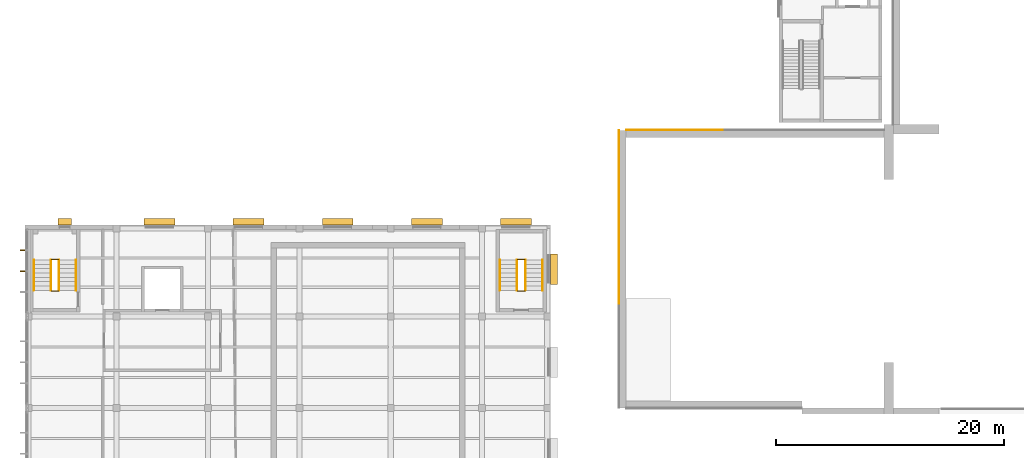
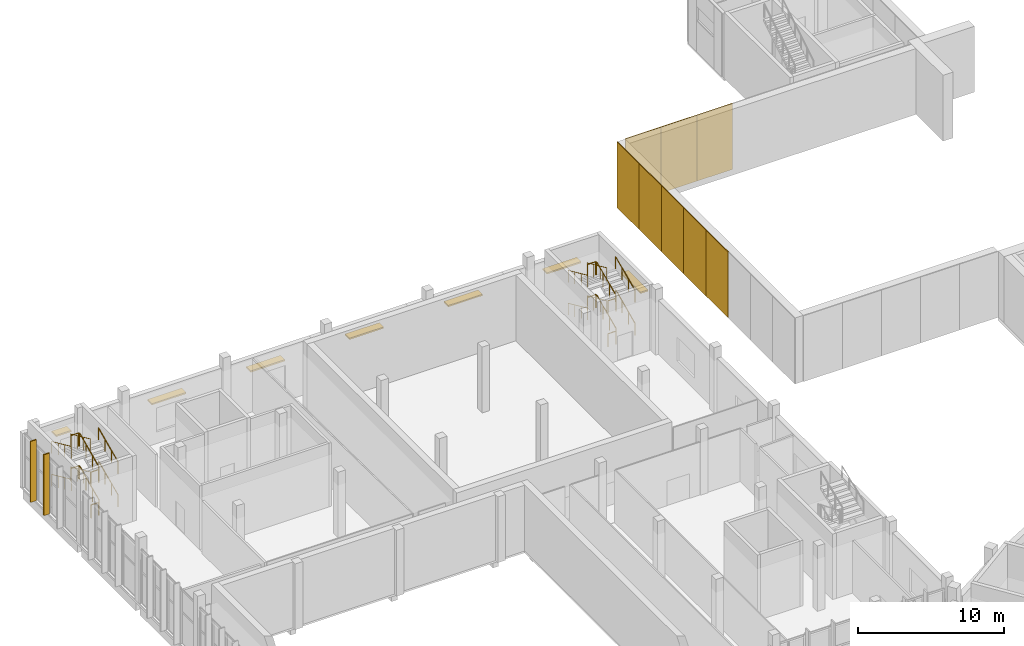
# One storey, part 92 of 112: 24 railings, 9 shading devices, 8 coverings.
"""IFC4 building model written with IfcOpenShell, lengths in metres."""

from ifc_helpers import new_model, si_unit, direction, frame, origin, origin_2d, place, context, subcontext, project, spatial, rectangle, circle, extrude, material, layer, layer_set, type_object, element, save


model = new_model("IFC4")

# Units and contexts
model_context = context("Model", 3, precision=1e-05, world=origin(), true_north=direction((0.0, 1.0)))
body_context = subcontext(model_context, "Body", "Model", "MODEL_VIEW")
ifc_project = project(units=[si_unit("LENGTHUNIT", "METRE"), si_unit("AREAUNIT", "SQUARE_METRE"), si_unit("VOLUMEUNIT", "CUBIC_METRE"), si_unit("PLANEANGLEUNIT", "RADIAN"), si_unit("MASSUNIT", "GRAM", prefix="KILO")], contexts=[model_context])

# Site, building, storey
site_placement = place(None, origin())
site = spatial("IfcSite", under=ifc_project, at=site_placement, CompositionType="ELEMENT")
building_placement = place(site_placement, origin())
building = spatial("IfcBuilding", under=site, at=building_placement, Name="Lunette Opera House", CompositionType="ELEMENT")
storey_placement = place(building_placement, frame((0.0, 0.0, 6.0)))
storey = spatial("IfcBuildingStorey", under=building, at=storey_placement, Name="L01", CompositionType="ELEMENT", Elevation=6.0)

# Shading devices
ifc_material_1 = material(Name="Powder-coated aluminium", Category="aluminium")
shading_device_type_1 = type_object("IfcShadingDeviceType", Name="SOLAR FIN 100 X 450", PredefinedType="USERDEFINED", material=ifc_material_1)
for number, where, z_axis, x_axis, name in (
    (1, (7.76708984375, 109.80908203125, 0.114501953125), (0.0, 0.0, 1.0), (-1.0, 0.0, 0.0), "Solar fin RW-X2015 1"),
    (2, (7.76708984375, 107.98291015625, 0.114501953125), (0.0, 0.0, 1.0), (-1.0, 0.0, 0.0), "Solar fin RW-X2015 2"),
):
    element("IfcShadingDevice", number, at=place(storey_placement, frame(where, z_axis=z_axis, x_axis=x_axis)), inside=storey, type_object=shading_device_type_1, Name=name, ObjectType="SOLAR FIN", PredefinedType="USERDEFINED", context=body_context, shape_type="SweptSolid", body=[
        extrude(rectangle(XDim=0.449951171875, YDim=0.10009765625, at=origin_2d()), origin(), (0.0, 0.0, 1.0), 5.0849609375),
    ])

# Railings
ifc_material_2 = material(Name="Steel S355", Category="steel")
railing_type_1 = type_object("IfcRailingType", Name="STAIR GUARD 1100", PredefinedType="GUARDRAIL", material=ifc_material_2)
railing_1_placement = place(storey_placement, frame((10.949951171875, 106.300048828125, 0.171875)))
element("IfcRailing", 3, at=railing_1_placement, inside=storey, type_object=railing_type_1, Name="L01 ST15 stair guard 1", PredefinedType="GUARDRAIL", context=body_context, shape_type="SweptSolid", body=[
    extrude(circle(Radius=0.02392578125, at=origin_2d()), frame((0.0, 0.0, 1.076171875), z_axis=(0.0, 0.911129605887, 0.412119935549), x_axis=(-1.0, 0.0, 0.0)), (0.0, 0.0, 1.0), 2.91943359375),
    extrude(circle(Radius=0.02099609375, at=origin_2d()), origin(), (0.0, 0.0, 1.0), 1.052001953125),
    extrude(circle(Radius=0.02099609375, at=origin_2d()), frame((0.0, 0.88671875, 0.401123046875)), (0.0, 0.0, 1.0), 1.052001953125),
    extrude(circle(Radius=0.02099609375, at=origin_2d()), frame((0.0, 1.773193359375, 0.802001953125)), (0.0, 0.0, 1.0), 1.052001953125),
    extrude(circle(Radius=0.02099609375, at=origin_2d()), frame((0.0, 2.659912109375, 1.203125)), (0.0, 0.0, 1.0), 1.052001953125),
])
railing_2_placement = place(storey_placement, frame((10.89990234375, 109.010009765625, 1.375)))
element("IfcRailing", 4, at=railing_2_placement, inside=storey, type_object=railing_type_1, Name="L01 ST15 stair guard 2", PredefinedType="GUARDRAIL", context=body_context, shape_type="SweptSolid", body=[
    extrude(circle(Radius=0.02392578125, at=origin_2d()), frame((0.0, 0.0, 1.076171875), z_axis=(-1.0, 0.0, 0.0), x_axis=(0.0, -1.0, 0.0)), (0.0, 0.0, 1.0), 0.599853515625),
    extrude(circle(Radius=0.02099609375, at=origin_2d()), origin(), (0.0, 0.0, 1.0), 1.052001953125),
    extrude(circle(Radius=0.02099609375, at=origin_2d()), frame((-0.599853515625, 0.0, 0.0)), (0.0, 0.0, 1.0), 1.052001953125),
])
railing_3_placement = place(storey_placement, frame((10.25, 108.9599609375, 1.546875)))
element("IfcRailing", 5, at=railing_3_placement, inside=storey, type_object=railing_type_1, Name="L01 ST15 stair guard 3", PredefinedType="GUARDRAIL", context=body_context, shape_type="SweptSolid", body=[
    extrude(circle(Radius=0.02392578125, at=origin_2d()), frame((0.0, 0.0, 1.076171875), z_axis=(0.0, -0.911129605887, 0.412119935549), x_axis=(1.0, 0.0, 0.0)), (0.0, 0.0, 1.0), 2.91943359375),
    extrude(circle(Radius=0.02099609375, at=origin_2d()), origin(), (0.0, 0.0, 1.0), 1.052001953125),
    extrude(circle(Radius=0.02099609375, at=origin_2d()), frame((0.0, -0.88671875, 0.401123046875)), (0.0, 0.0, 1.0), 1.052001953125),
    extrude(circle(Radius=0.02099609375, at=origin_2d()), frame((0.0, -1.773193359375, 0.802001953125)), (0.0, 0.0, 1.0), 1.052001953125),
    extrude(circle(Radius=0.02099609375, at=origin_2d()), frame((0.0, -2.659912109375, 1.203125)), (0.0, 0.0, 1.0), 1.052001953125),
])
railing_4_placement = place(storey_placement, frame((10.89990234375, 106.25, 2.75)))
element("IfcRailing", 6, at=railing_4_placement, inside=storey, type_object=railing_type_1, Name="L01 ST15 stair guard 4", PredefinedType="GUARDRAIL", context=body_context, shape_type="SweptSolid", body=[
    extrude(circle(Radius=0.02392578125, at=origin_2d()), frame((0.0, 0.0, 1.076171875), z_axis=(-1.0, 0.0, 0.0), x_axis=(0.0, -1.0, 0.0)), (0.0, 0.0, 1.0), 0.599853515625),
    extrude(circle(Radius=0.02099609375, at=origin_2d()), origin(), (0.0, 0.0, 1.0), 1.052001953125),
    extrude(circle(Radius=0.02099609375, at=origin_2d()), frame((-0.599853515625, 0.0, 0.0)), (0.0, 0.0, 1.0), 1.052001953125),
])
railing_5_placement = place(storey_placement, frame((10.949951171875, 106.300048828125, 2.921875)))
element("IfcRailing", 7, at=railing_5_placement, inside=storey, type_object=railing_type_1, Name="L01 ST15 stair guard 5", PredefinedType="GUARDRAIL", context=body_context, shape_type="SweptSolid", body=[
    extrude(circle(Radius=0.02392578125, at=origin_2d()), frame((0.0, 0.0, 1.076171875), z_axis=(0.0, 0.911129605887, 0.412119935549), x_axis=(-1.0, 0.0, 0.0)), (0.0, 0.0, 1.0), 2.91943359375),
    extrude(circle(Radius=0.02099609375, at=origin_2d()), origin(), (0.0, 0.0, 1.0), 1.052001953125),
    extrude(circle(Radius=0.02099609375, at=origin_2d()), frame((0.0, 0.88671875, 0.401123046875)), (0.0, 0.0, 1.0), 1.052001953125),
    extrude(circle(Radius=0.02099609375, at=origin_2d()), frame((0.0, 1.773193359375, 0.802001953125)), (0.0, 0.0, 1.0), 1.052001953125),
    extrude(circle(Radius=0.02099609375, at=origin_2d()), frame((0.0, 2.659912109375, 1.203125)), (0.0, 0.0, 1.0), 1.052001953125),
])
railing_6_placement = place(storey_placement, frame((10.89990234375, 109.010009765625, 4.125)))
element("IfcRailing", 8, at=railing_6_placement, inside=storey, type_object=railing_type_1, Name="L01 ST15 stair guard 6", PredefinedType="GUARDRAIL", context=body_context, shape_type="SweptSolid", body=[
    extrude(circle(Radius=0.02392578125, at=origin_2d()), frame((0.0, 0.0, 1.076171875), z_axis=(-1.0, 0.0, 0.0), x_axis=(0.0, -1.0, 0.0)), (0.0, 0.0, 1.0), 0.599853515625),
    extrude(circle(Radius=0.02099609375, at=origin_2d()), origin(), (0.0, 0.0, 1.0), 1.052001953125),
    extrude(circle(Radius=0.02099609375, at=origin_2d()), frame((-0.599853515625, 0.0, 0.0)), (0.0, 0.0, 1.0), 1.052001953125),
])
railing_7_placement = place(storey_placement, frame((10.25, 108.9599609375, 4.296875)))
element("IfcRailing", 9, at=railing_7_placement, inside=storey, type_object=railing_type_1, Name="L01 ST15 stair guard 7", PredefinedType="GUARDRAIL", context=body_context, shape_type="SweptSolid", body=[
    extrude(circle(Radius=0.02392578125, at=origin_2d()), frame((0.0, 0.0, 1.076171875), z_axis=(0.0, -0.911129605887, 0.412119935549), x_axis=(1.0, 0.0, 0.0)), (0.0, 0.0, 1.0), 2.91943359375),
    extrude(circle(Radius=0.02099609375, at=origin_2d()), origin(), (0.0, 0.0, 1.0), 1.052001953125),
    extrude(circle(Radius=0.02099609375, at=origin_2d()), frame((0.0, -0.88671875, 0.401123046875)), (0.0, 0.0, 1.0), 1.052001953125),
    extrude(circle(Radius=0.02099609375, at=origin_2d()), frame((0.0, -1.773193359375, 0.802001953125)), (0.0, 0.0, 1.0), 1.052001953125),
    extrude(circle(Radius=0.02099609375, at=origin_2d()), frame((0.0, -2.659912109375, 1.203125)), (0.0, 0.0, 1.0), 1.052001953125),
])
railing_8_placement = place(storey_placement, frame((10.89990234375, 106.25, 0.0)))
element("IfcRailing", 10, at=railing_8_placement, inside=storey, type_object=railing_type_1, Name="L01 ST15 stair guard 8", PredefinedType="GUARDRAIL", context=body_context, shape_type="SweptSolid", body=[
    extrude(circle(Radius=0.02392578125, at=origin_2d()), frame((0.0, 0.0, 1.076171875), z_axis=(-1.0, 0.0, 0.0), x_axis=(0.0, -1.0, 0.0)), (0.0, 0.0, 1.0), 0.599853515625),
    extrude(circle(Radius=0.02099609375, at=origin_2d()), origin(), (0.0, 0.0, 1.0), 1.052001953125),
    extrude(circle(Radius=0.02099609375, at=origin_2d()), frame((-0.599853515625, 0.0, 0.0)), (0.0, 0.0, 1.0), 1.052001953125),
])
railing_9_placement = place(storey_placement, frame((51.784912109375, 106.300048828125, 0.171875)))
element("IfcRailing", 11, at=railing_9_placement, inside=storey, type_object=railing_type_1, Name="L01 ST17 stair guard 1", PredefinedType="GUARDRAIL", context=body_context, shape_type="SweptSolid", body=[
    extrude(circle(Radius=0.02392578125, at=origin_2d()), frame((0.0, 0.0, 1.076171875), z_axis=(0.0, 0.911129605887, 0.412119935549), x_axis=(-1.0, 0.0, 0.0)), (0.0, 0.0, 1.0), 2.91943359375),
    extrude(circle(Radius=0.02099609375, at=origin_2d()), origin(), (0.0, 0.0, 1.0), 1.052001953125),
    extrude(circle(Radius=0.02099609375, at=origin_2d()), frame((0.0, 0.88671875, 0.401123046875)), (0.0, 0.0, 1.0), 1.052001953125),
    extrude(circle(Radius=0.02099609375, at=origin_2d()), frame((0.0, 1.773193359375, 0.802001953125)), (0.0, 0.0, 1.0), 1.052001953125),
    extrude(circle(Radius=0.02099609375, at=origin_2d()), frame((0.0, 2.659912109375, 1.203125)), (0.0, 0.0, 1.0), 1.052001953125),
])
railing_10_placement = place(storey_placement, frame((51.735107421875, 109.010009765625, 1.375)))
element("IfcRailing", 12, at=railing_10_placement, inside=storey, type_object=railing_type_1, Name="L01 ST17 stair guard 2", PredefinedType="GUARDRAIL", context=body_context, shape_type="SweptSolid", body=[
    extrude(circle(Radius=0.02392578125, at=origin_2d()), frame((0.0, 0.0, 1.076171875), z_axis=(-1.0, 0.0, 0.0), x_axis=(0.0, -1.0, 0.0)), (0.0, 0.0, 1.0), 0.635009765625),
    extrude(circle(Radius=0.02099609375, at=origin_2d()), origin(), (0.0, 0.0, 1.0), 1.052001953125),
    extrude(circle(Radius=0.02099609375, at=origin_2d()), frame((-0.635009765625, 0.0, 0.0)), (0.0, 0.0, 1.0), 1.052001953125),
])
railing_11_placement = place(storey_placement, frame((51.050048828125, 108.9599609375, 1.546875)))
element("IfcRailing", 13, at=railing_11_placement, inside=storey, type_object=railing_type_1, Name="L01 ST17 stair guard 3", PredefinedType="GUARDRAIL", context=body_context, shape_type="SweptSolid", body=[
    extrude(circle(Radius=0.02392578125, at=origin_2d()), frame((0.0, 0.0, 1.076171875), z_axis=(0.0, -0.911129605887, 0.412119935549), x_axis=(1.0, 0.0, 0.0)), (0.0, 0.0, 1.0), 2.91943359375),
    extrude(circle(Radius=0.02099609375, at=origin_2d()), origin(), (0.0, 0.0, 1.0), 1.052001953125),
    extrude(circle(Radius=0.02099609375, at=origin_2d()), frame((0.0, -0.88671875, 0.401123046875)), (0.0, 0.0, 1.0), 1.052001953125),
    extrude(circle(Radius=0.02099609375, at=origin_2d()), frame((0.0, -1.773193359375, 0.802001953125)), (0.0, 0.0, 1.0), 1.052001953125),
    extrude(circle(Radius=0.02099609375, at=origin_2d()), frame((0.0, -2.659912109375, 1.203125)), (0.0, 0.0, 1.0), 1.052001953125),
])
railing_12_placement = place(storey_placement, frame((51.735107421875, 106.25, 2.75)))
element("IfcRailing", 14, at=railing_12_placement, inside=storey, type_object=railing_type_1, Name="L01 ST17 stair guard 4", PredefinedType="GUARDRAIL", context=body_context, shape_type="SweptSolid", body=[
    extrude(circle(Radius=0.02392578125, at=origin_2d()), frame((0.0, 0.0, 1.076171875), z_axis=(-1.0, 0.0, 0.0), x_axis=(0.0, -1.0, 0.0)), (0.0, 0.0, 1.0), 0.635009765625),
    extrude(circle(Radius=0.02099609375, at=origin_2d()), origin(), (0.0, 0.0, 1.0), 1.052001953125),
    extrude(circle(Radius=0.02099609375, at=origin_2d()), frame((-0.635009765625, 0.0, 0.0)), (0.0, 0.0, 1.0), 1.052001953125),
])
railing_13_placement = place(storey_placement, frame((51.784912109375, 106.300048828125, 2.921875)))
element("IfcRailing", 15, at=railing_13_placement, inside=storey, type_object=railing_type_1, Name="L01 ST17 stair guard 5", PredefinedType="GUARDRAIL", context=body_context, shape_type="SweptSolid", body=[
    extrude(circle(Radius=0.02392578125, at=origin_2d()), frame((0.0, 0.0, 1.076171875), z_axis=(0.0, 0.911129605887, 0.412119935549), x_axis=(-1.0, 0.0, 0.0)), (0.0, 0.0, 1.0), 2.91943359375),
    extrude(circle(Radius=0.02099609375, at=origin_2d()), origin(), (0.0, 0.0, 1.0), 1.052001953125),
    extrude(circle(Radius=0.02099609375, at=origin_2d()), frame((0.0, 0.88671875, 0.401123046875)), (0.0, 0.0, 1.0), 1.052001953125),
    extrude(circle(Radius=0.02099609375, at=origin_2d()), frame((0.0, 1.773193359375, 0.802001953125)), (0.0, 0.0, 1.0), 1.052001953125),
    extrude(circle(Radius=0.02099609375, at=origin_2d()), frame((0.0, 2.659912109375, 1.203125)), (0.0, 0.0, 1.0), 1.052001953125),
])
railing_14_placement = place(storey_placement, frame((51.735107421875, 109.010009765625, 4.125)))
element("IfcRailing", 16, at=railing_14_placement, inside=storey, type_object=railing_type_1, Name="L01 ST17 stair guard 6", PredefinedType="GUARDRAIL", context=body_context, shape_type="SweptSolid", body=[
    extrude(circle(Radius=0.02392578125, at=origin_2d()), frame((0.0, 0.0, 1.076171875), z_axis=(-1.0, 0.0, 0.0), x_axis=(0.0, -1.0, 0.0)), (0.0, 0.0, 1.0), 0.635009765625),
    extrude(circle(Radius=0.02099609375, at=origin_2d()), origin(), (0.0, 0.0, 1.0), 1.052001953125),
    extrude(circle(Radius=0.02099609375, at=origin_2d()), frame((-0.635009765625, 0.0, 0.0)), (0.0, 0.0, 1.0), 1.052001953125),
])
railing_15_placement = place(storey_placement, frame((51.050048828125, 108.9599609375, 4.296875)))
element("IfcRailing", 17, at=railing_15_placement, inside=storey, type_object=railing_type_1, Name="L01 ST17 stair guard 7", PredefinedType="GUARDRAIL", context=body_context, shape_type="SweptSolid", body=[
    extrude(circle(Radius=0.02392578125, at=origin_2d()), frame((0.0, 0.0, 1.076171875), z_axis=(0.0, -0.911129605887, 0.412119935549), x_axis=(1.0, 0.0, 0.0)), (0.0, 0.0, 1.0), 2.91943359375),
    extrude(circle(Radius=0.02099609375, at=origin_2d()), origin(), (0.0, 0.0, 1.0), 1.052001953125),
    extrude(circle(Radius=0.02099609375, at=origin_2d()), frame((0.0, -0.88671875, 0.401123046875)), (0.0, 0.0, 1.0), 1.052001953125),
    extrude(circle(Radius=0.02099609375, at=origin_2d()), frame((0.0, -1.773193359375, 0.802001953125)), (0.0, 0.0, 1.0), 1.052001953125),
    extrude(circle(Radius=0.02099609375, at=origin_2d()), frame((0.0, -2.659912109375, 1.203125)), (0.0, 0.0, 1.0), 1.052001953125),
])
railing_16_placement = place(storey_placement, frame((51.735107421875, 106.25, 0.0)))
element("IfcRailing", 18, at=railing_16_placement, inside=storey, type_object=railing_type_1, Name="L01 ST17 stair guard 8", PredefinedType="GUARDRAIL", context=body_context, shape_type="SweptSolid", body=[
    extrude(circle(Radius=0.02392578125, at=origin_2d()), frame((0.0, 0.0, 1.076171875), z_axis=(-1.0, 0.0, 0.0), x_axis=(0.0, -1.0, 0.0)), (0.0, 0.0, 1.0), 0.635009765625),
    extrude(circle(Radius=0.02099609375, at=origin_2d()), origin(), (0.0, 0.0, 1.0), 1.052001953125),
    extrude(circle(Radius=0.02099609375, at=origin_2d()), frame((-0.635009765625, 0.0, 0.0)), (0.0, 0.0, 1.0), 1.052001953125),
])
ifc_material_3 = material(Name="Steel S355", Category="steel")
railing_type_2 = type_object("IfcRailingType", Name="STAIR HANDRAIL 1000", PredefinedType="HANDRAIL", material=ifc_material_3)
railing_17_placement = place(storey_placement, frame((12.449951171875, 106.300048828125, 0.171875)))
element("IfcRailing", 19, at=railing_17_placement, inside=storey, type_object=railing_type_2, Name="L01 ST15 stair handrail 1", PredefinedType="HANDRAIL", context=body_context, shape_type="SweptSolid", body=[
    extrude(circle(Radius=0.02392578125, at=origin_2d()), frame((0.0, 0.0, 0.97607421875), z_axis=(0.0, 0.911129605887, 0.412119935549), x_axis=(-1.0, 0.0, 0.0)), (0.0, 0.0, 1.0), 2.91943359375),
    extrude(circle(Radius=0.02099609375, at=origin_2d()), origin(), (0.0, 0.0, 1.0), 0.951904296875),
    extrude(circle(Radius=0.02099609375, at=origin_2d()), frame((0.0, 0.88671875, 0.401123046875)), (0.0, 0.0, 1.0), 0.951904296875),
    extrude(circle(Radius=0.02099609375, at=origin_2d()), frame((0.0, 1.773193359375, 0.802001953125)), (0.0, 0.0, 1.0), 0.951904296875),
    extrude(circle(Radius=0.02099609375, at=origin_2d()), frame((0.0, 2.659912109375, 1.203125)), (0.0, 0.0, 1.0), 0.951904296875),
])
railing_18_placement = place(storey_placement, frame((8.75, 108.9599609375, 1.546875)))
element("IfcRailing", 20, at=railing_18_placement, inside=storey, type_object=railing_type_2, Name="L01 ST15 stair handrail 2", PredefinedType="HANDRAIL", context=body_context, shape_type="SweptSolid", body=[
    extrude(circle(Radius=0.02392578125, at=origin_2d()), frame((0.0, 0.0, 0.97607421875), z_axis=(0.0, -0.911129605887, 0.412119935549), x_axis=(1.0, 0.0, 0.0)), (0.0, 0.0, 1.0), 2.91943359375),
    extrude(circle(Radius=0.02099609375, at=origin_2d()), origin(), (0.0, 0.0, 1.0), 0.951904296875),
    extrude(circle(Radius=0.02099609375, at=origin_2d()), frame((0.0, -0.88671875, 0.401123046875)), (0.0, 0.0, 1.0), 0.951904296875),
    extrude(circle(Radius=0.02099609375, at=origin_2d()), frame((0.0, -1.773193359375, 0.802001953125)), (0.0, 0.0, 1.0), 0.951904296875),
    extrude(circle(Radius=0.02099609375, at=origin_2d()), frame((0.0, -2.659912109375, 1.203125)), (0.0, 0.0, 1.0), 0.951904296875),
])
railing_19_placement = place(storey_placement, frame((12.449951171875, 106.300048828125, 2.921875)))
element("IfcRailing", 21, at=railing_19_placement, inside=storey, type_object=railing_type_2, Name="L01 ST15 stair handrail 3", PredefinedType="HANDRAIL", context=body_context, shape_type="SweptSolid", body=[
    extrude(circle(Radius=0.02392578125, at=origin_2d()), frame((0.0, 0.0, 0.97607421875), z_axis=(0.0, 0.911129605887, 0.412119935549), x_axis=(-1.0, 0.0, 0.0)), (0.0, 0.0, 1.0), 2.91943359375),
    extrude(circle(Radius=0.02099609375, at=origin_2d()), origin(), (0.0, 0.0, 1.0), 0.951904296875),
    extrude(circle(Radius=0.02099609375, at=origin_2d()), frame((0.0, 0.88671875, 0.401123046875)), (0.0, 0.0, 1.0), 0.951904296875),
    extrude(circle(Radius=0.02099609375, at=origin_2d()), frame((0.0, 1.773193359375, 0.802001953125)), (0.0, 0.0, 1.0), 0.951904296875),
    extrude(circle(Radius=0.02099609375, at=origin_2d()), frame((0.0, 2.659912109375, 1.203125)), (0.0, 0.0, 1.0), 0.951904296875),
])
railing_20_placement = place(storey_placement, frame((8.75, 108.9599609375, 4.296875)))
element("IfcRailing", 22, at=railing_20_placement, inside=storey, type_object=railing_type_2, Name="L01 ST15 stair handrail 4", PredefinedType="HANDRAIL", context=body_context, shape_type="SweptSolid", body=[
    extrude(circle(Radius=0.02392578125, at=origin_2d()), frame((0.0, 0.0, 0.97607421875), z_axis=(0.0, -0.911129605887, 0.412119935549), x_axis=(1.0, 0.0, 0.0)), (0.0, 0.0, 1.0), 2.91943359375),
    extrude(circle(Radius=0.02099609375, at=origin_2d()), origin(), (0.0, 0.0, 1.0), 0.951904296875),
    extrude(circle(Radius=0.02099609375, at=origin_2d()), frame((0.0, -0.88671875, 0.401123046875)), (0.0, 0.0, 1.0), 0.951904296875),
    extrude(circle(Radius=0.02099609375, at=origin_2d()), frame((0.0, -1.773193359375, 0.802001953125)), (0.0, 0.0, 1.0), 0.951904296875),
    extrude(circle(Radius=0.02099609375, at=origin_2d()), frame((0.0, -2.659912109375, 1.203125)), (0.0, 0.0, 1.0), 0.951904296875),
])
railing_21_placement = place(storey_placement, frame((53.284912109375, 106.300048828125, 0.171875)))
element("IfcRailing", 23, at=railing_21_placement, inside=storey, type_object=railing_type_2, Name="L01 ST17 stair handrail 1", PredefinedType="HANDRAIL", context=body_context, shape_type="SweptSolid", body=[
    extrude(circle(Radius=0.02392578125, at=origin_2d()), frame((0.0, 0.0, 0.97607421875), z_axis=(0.0, 0.911129605887, 0.412119935549), x_axis=(-1.0, 0.0, 0.0)), (0.0, 0.0, 1.0), 2.91943359375),
    extrude(circle(Radius=0.02099609375, at=origin_2d()), origin(), (0.0, 0.0, 1.0), 0.951904296875),
    extrude(circle(Radius=0.02099609375, at=origin_2d()), frame((0.0, 0.88671875, 0.401123046875)), (0.0, 0.0, 1.0), 0.951904296875),
    extrude(circle(Radius=0.02099609375, at=origin_2d()), frame((0.0, 1.773193359375, 0.802001953125)), (0.0, 0.0, 1.0), 0.951904296875),
    extrude(circle(Radius=0.02099609375, at=origin_2d()), frame((0.0, 2.659912109375, 1.203125)), (0.0, 0.0, 1.0), 0.951904296875),
])
railing_22_placement = place(storey_placement, frame((49.550048828125, 108.9599609375, 1.546875)))
element("IfcRailing", 24, at=railing_22_placement, inside=storey, type_object=railing_type_2, Name="L01 ST17 stair handrail 2", PredefinedType="HANDRAIL", context=body_context, shape_type="SweptSolid", body=[
    extrude(circle(Radius=0.02392578125, at=origin_2d()), frame((0.0, 0.0, 0.97607421875), z_axis=(0.0, -0.911129605887, 0.412119935549), x_axis=(1.0, 0.0, 0.0)), (0.0, 0.0, 1.0), 2.91943359375),
    extrude(circle(Radius=0.02099609375, at=origin_2d()), origin(), (0.0, 0.0, 1.0), 0.951904296875),
    extrude(circle(Radius=0.02099609375, at=origin_2d()), frame((0.0, -0.88671875, 0.401123046875)), (0.0, 0.0, 1.0), 0.951904296875),
    extrude(circle(Radius=0.02099609375, at=origin_2d()), frame((0.0, -1.773193359375, 0.802001953125)), (0.0, 0.0, 1.0), 0.951904296875),
    extrude(circle(Radius=0.02099609375, at=origin_2d()), frame((0.0, -2.659912109375, 1.203125)), (0.0, 0.0, 1.0), 0.951904296875),
])
railing_23_placement = place(storey_placement, frame((53.284912109375, 106.300048828125, 2.921875)))
element("IfcRailing", 25, at=railing_23_placement, inside=storey, type_object=railing_type_2, Name="L01 ST17 stair handrail 3", PredefinedType="HANDRAIL", context=body_context, shape_type="SweptSolid", body=[
    extrude(circle(Radius=0.02392578125, at=origin_2d()), frame((0.0, 0.0, 0.97607421875), z_axis=(0.0, 0.911129605887, 0.412119935549), x_axis=(-1.0, 0.0, 0.0)), (0.0, 0.0, 1.0), 2.91943359375),
    extrude(circle(Radius=0.02099609375, at=origin_2d()), origin(), (0.0, 0.0, 1.0), 0.951904296875),
    extrude(circle(Radius=0.02099609375, at=origin_2d()), frame((0.0, 0.88671875, 0.401123046875)), (0.0, 0.0, 1.0), 0.951904296875),
    extrude(circle(Radius=0.02099609375, at=origin_2d()), frame((0.0, 1.773193359375, 0.802001953125)), (0.0, 0.0, 1.0), 0.951904296875),
    extrude(circle(Radius=0.02099609375, at=origin_2d()), frame((0.0, 2.659912109375, 1.203125)), (0.0, 0.0, 1.0), 0.951904296875),
])
railing_24_placement = place(storey_placement, frame((49.550048828125, 108.9599609375, 4.296875)))
element("IfcRailing", 26, at=railing_24_placement, inside=storey, type_object=railing_type_2, Name="L01 ST17 stair handrail 4", PredefinedType="HANDRAIL", context=body_context, shape_type="SweptSolid", body=[
    extrude(circle(Radius=0.02392578125, at=origin_2d()), frame((0.0, 0.0, 0.97607421875), z_axis=(0.0, -0.911129605887, 0.412119935549), x_axis=(1.0, 0.0, 0.0)), (0.0, 0.0, 1.0), 2.91943359375),
    extrude(circle(Radius=0.02099609375, at=origin_2d()), origin(), (0.0, 0.0, 1.0), 0.951904296875),
    extrude(circle(Radius=0.02099609375, at=origin_2d()), frame((0.0, -0.88671875, 0.401123046875)), (0.0, 0.0, 1.0), 0.951904296875),
    extrude(circle(Radius=0.02099609375, at=origin_2d()), frame((0.0, -1.773193359375, 0.802001953125)), (0.0, 0.0, 1.0), 0.951904296875),
    extrude(circle(Radius=0.02099609375, at=origin_2d()), frame((0.0, -2.659912109375, 1.203125)), (0.0, 0.0, 1.0), 0.951904296875),
])

# Coverings
ifc_material_4 = material(Name="Aluminium standing seam cladding", Category="aluminium")
ifc_layer_1 = layer(ifc_material_4, 0.06005859375)
ifc_layer_set_1 = layer_set([ifc_layer_1], Name="Aluminium standing seam cladding")
covering_type = type_object("IfcCoveringType", Name="STANDING SEAM CLADDING 60", PredefinedType="CLADDING", material=ifc_layer_set_1)
for number, where, z_axis, x_axis, name in (
    (27, (59.969970703125, 106.631103515625, 0.0), (0.0, 0.0, 1.0), (0.0, 1.0, 0.0), "Standing seam cladding SW-W-1 L01 03"),
    (28, (59.969970703125, 109.6689453125, 0.0), (0.0, 0.0, 1.0), (0.0, 1.0, 0.0), "Standing seam cladding SW-W-1 L01 04"),
    (29, (59.969970703125, 112.7060546875, 0.0), (0.0, 0.0, 1.0), (0.0, 1.0, 0.0), "Standing seam cladding SW-W-1 L01 05"),
    (30, (59.969970703125, 115.743896484375, 0.0), (0.0, 0.0, 1.0), (0.0, 1.0, 0.0), "Standing seam cladding SW-W-1 L01 06"),
):
    element("IfcCovering", number, at=place(storey_placement, frame(where, z_axis=z_axis, x_axis=x_axis)), inside=storey, type_object=covering_type, Name=name, PredefinedType="CLADDING", context=body_context, shape_type="SweptSolid", body=[
        extrude(rectangle(XDim=3.037109375, YDim=0.06005859375, at=origin_2d()), origin(), (0.0, 0.0, 1.0), 5.5),
    ])
covering_placement = place(storey_placement, frame((59.969970703125, 118.781005859375, 0.0), z_axis=(0.0, 0.0, 1.0), x_axis=(0.0, 1.0, 0.0)))
element("IfcCovering", 31, at=covering_placement, inside=storey, type_object=covering_type, Name="Standing seam cladding SW-W-1 L01 07", PredefinedType="CLADDING", context=body_context, shape_type="SweptSolid", body=[
    extrude(rectangle(XDim=3.0380859375, YDim=0.06005859375, at=origin_2d()), origin(), (0.0, 0.0, 1.0), 5.5),
])
for number, where, z_axis, x_axis, name in (
    (32, (62.012939453125, 120.330078125, 0.0), (0.0, 0.0, 1.0), (1.0, 0.0, 0.0), "Standing seam cladding SW-N-1 L01 00"),
    (33, (64.837890625, 120.330078125, 0.0), (0.0, 0.0, 1.0), (1.0, 0.0, 0.0), "Standing seam cladding SW-N-1 L01 01"),
    (34, (67.6630859375, 120.330078125, 0.0), (0.0, 0.0, 1.0), (1.0, 0.0, 0.0), "Standing seam cladding SW-N-1 L01 02"),
):
    element("IfcCovering", number, at=place(storey_placement, frame(where, z_axis=z_axis, x_axis=x_axis)), inside=storey, type_object=covering_type, Name=name, PredefinedType="CLADDING", context=body_context, shape_type="SweptSolid", body=[
        extrude(rectangle(XDim=2.824951171875, YDim=0.06005859375, at=origin_2d()), origin(), (0.0, 0.0, 1.0), 5.5),
    ])

# Shading devices
ifc_material_5 = material(Name="Powder-coated aluminium", Category="aluminium")
ifc_layer_2 = layer(ifc_material_5, 0.1201171875)
ifc_layer_set_2 = layer_set([ifc_layer_2], Name="Powder-coated aluminium")
shading_device_type_2 = type_object("IfcShadingDeviceType", Name="WINDOW HOOD 600 X 1200", PredefinedType="USERDEFINED", material=ifc_layer_set_2)
shading_device_placement = place(storey_placement, frame((11.450927734375, 112.299072265625, 3.079833984375), z_axis=(0.0, 0.0, 1.0), x_axis=(0.0, 1.0, 0.0)))
element("IfcShadingDevice", 35, at=shading_device_placement, inside=storey, type_object=shading_device_type_2, Name="Window hood RW-N2061", ObjectType="WINDOW HOOD", PredefinedType="USERDEFINED", context=body_context, shape_type="SweptSolid", body=[
    extrude(rectangle(XDim=0.60009765625, YDim=1.199951171875, at=origin_2d()), origin(), (0.0, 0.0, 1.0), 0.1201171875),
])
ifc_material_6 = material(Name="Powder-coated aluminium", Category="aluminium")
ifc_layer_3 = layer(ifc_material_6, 0.1201171875)
ifc_layer_set_3 = layer_set([ifc_layer_3], Name="Powder-coated aluminium")
shading_device_type_3 = type_object("IfcShadingDeviceType", Name="WINDOW HOOD 600 X 2700", PredefinedType="USERDEFINED", material=ifc_layer_set_3)
for number, where, z_axis, x_axis, name in (
    (36, (54.300048828125, 108.14990234375, 3.079833984375), (0.0, 0.0, 1.0), (1.0, 0.0, 0.0), "Window hood RW-N2018"),
    (37, (50.967041015625, 112.299072265625, 3.079833984375), (0.0, 0.0, 1.0), (0.0, 1.0, 0.0), "Window hood RW-N2019"),
    (38, (43.1640625, 112.299072265625, 3.079833984375), (0.0, 0.0, 1.0), (0.0, 1.0, 0.0), "Window hood RW-N2020"),
    (39, (35.361083984375, 112.299072265625, 3.079833984375), (0.0, 0.0, 1.0), (0.0, 1.0, 0.0), "Window hood RW-N2021"),
    (40, (27.55810546875, 112.299072265625, 3.079833984375), (0.0, 0.0, 1.0), (0.0, 1.0, 0.0), "Window hood RW-N2022"),
    (41, (19.756103515625, 112.299072265625, 3.079833984375), (0.0, 0.0, 1.0), (0.0, 1.0, 0.0), "Window hood RW-N2023"),
):
    element("IfcShadingDevice", number, at=place(storey_placement, frame(where, z_axis=z_axis, x_axis=x_axis)), inside=storey, type_object=shading_device_type_3, Name=name, ObjectType="WINDOW HOOD", PredefinedType="USERDEFINED", context=body_context, shape_type="SweptSolid", body=[
        extrude(rectangle(XDim=0.60009765625, YDim=2.699951171875, at=origin_2d()), origin(), (0.0, 0.0, 1.0), 0.1201171875),
    ])

save(model, "model.ifc")
